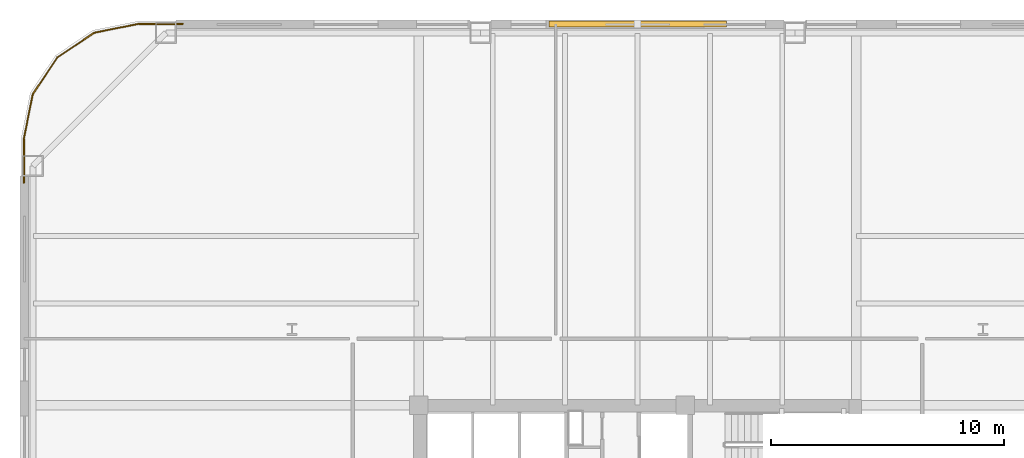
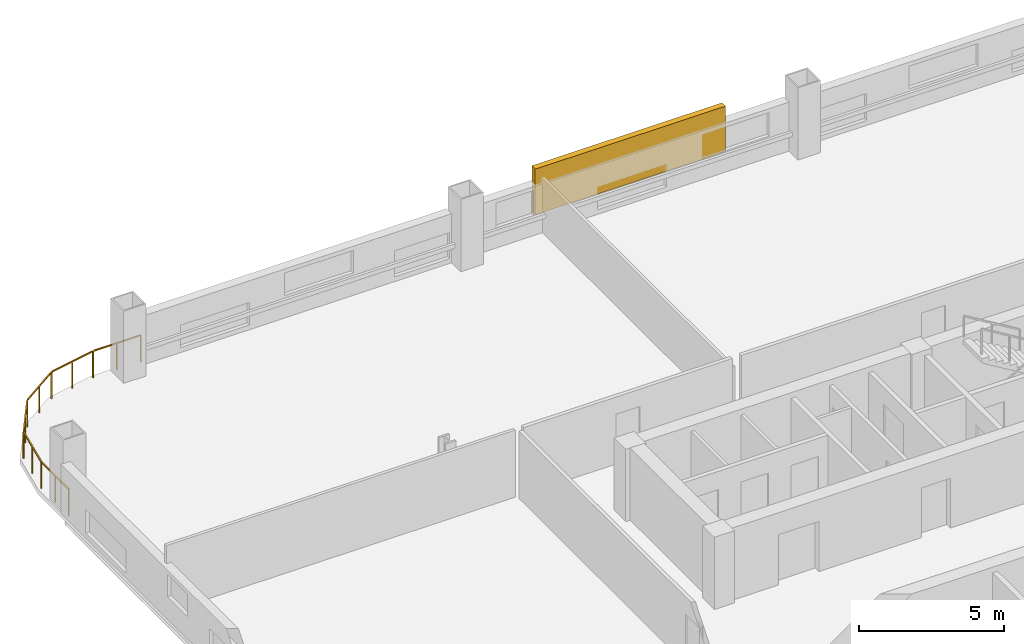
# One storey, part 10 of 11: 1 railing, 1 shading device.
"""IFC4 building model written with IfcOpenShell, lengths in metres."""

from ifc_helpers import new_model, si_unit, direction, frame, origin, origin_2d, place, context, subcontext, project, spatial, rectangle, extrude, material, type_object, element, save


model = new_model("IFC4")

# Units and contexts
model_context = context("Model", 3, precision=1e-05, world=origin(), true_north=direction((0.0, 1.0)))
body_context = subcontext(model_context, "Body", "Model", "MODEL_VIEW")
ifc_project = project(units=[si_unit("LENGTHUNIT", "METRE"), si_unit("AREAUNIT", "SQUARE_METRE"), si_unit("VOLUMEUNIT", "CUBIC_METRE"), si_unit("PLANEANGLEUNIT", "RADIAN"), si_unit("MASSUNIT", "GRAM", prefix="KILO")], contexts=[model_context])

# Site, building, storey
site_placement = place(None, origin())
site = spatial("IfcSite", under=ifc_project, at=site_placement, CompositionType="ELEMENT")
building_placement = place(site_placement, origin())
building = spatial("IfcBuilding", under=site, at=building_placement, Name="Qhalaya Broadcast Tower", CompositionType="ELEMENT")
storey_placement = place(building_placement, frame((0.0, 0.0, 29.14990234375)))
storey = spatial("IfcBuildingStorey", under=building, at=storey_placement, Name="L07", CompositionType="ELEMENT", Elevation=29.14990234375)

# Railing
ifc_material_1 = material(Name="Powder-Coated Galvanised Steel", Category="steel")
railing_type = type_object("IfcRailingType", Name="Terrace, Sky-Pool & Lookout Glass Balustrade 1150", PredefinedType="BALUSTRADE", material=ifc_material_1)
railing_placement = place(storey_placement, frame((-26.280029296875, 19.48193359375, 0.0)))
element("IfcRailing", 1, at=railing_placement, inside=storey, type_object=railing_type, Name="L07 Rounded Corner Perimeter Guard 03", PredefinedType="BALUSTRADE", context=body_context, shape_type="SweptSolid", body=[
    extrude(rectangle(XDim=0.048095703125, YDim=0.048095703125, at=origin_2d()), frame((0.0, 0.0, 1.1259765625), z_axis=(0.0, 1.0, 0.0), x_axis=(-1.0, 0.0, 0.0)), (0.0, 0.0, 1.0), 1.87744140625),
    extrude(rectangle(XDim=0.048095703125, YDim=0.048095703125, at=origin_2d()), frame((0.005615234375, 1.9345703125, 1.1259765625), z_axis=(0.195037378397, 0.980795810058, 0.0), x_axis=(-0.980795810058, 0.195037378397, 0.0)), (0.0, 0.0, 1.0), 1.857421875),
    extrude(rectangle(XDim=0.048095703125, YDim=0.048095703125, at=origin_2d()), frame((0.3896484375, 3.80859375, 1.1259765625), z_axis=(0.555558355728, 0.831477548332, 0.0), x_axis=(-0.831477548332, 0.555558355728, 0.0)), (0.0, 0.0, 1.0), 1.845458984375),
    extrude(rectangle(XDim=0.048095703125, YDim=0.048095703125, at=origin_2d()), frame((1.454833984375, 5.38330078125, 1.1259765625), z_axis=(0.831477548332, 0.555558355728, 0.0), x_axis=(-0.555558355728, 0.831477548332, 0.0)), (0.0, 0.0, 1.0), 1.845458984375),
    extrude(rectangle(XDim=0.048095703125, YDim=0.048095703125, at=origin_2d()), frame((3.041748046875, 6.43017578125, 1.1259765625), z_axis=(0.980795810058, 0.195037378397, 0.0), x_axis=(-0.195037378397, 0.980795810058, 0.0)), (0.0, 0.0, 1.0), 1.857421875),
    extrude(rectangle(XDim=0.048095703125, YDim=0.048095703125, at=origin_2d()), frame((4.920654296875, 6.798095703125, 1.1259765625), z_axis=(1.0, 0.0, 0.0), x_axis=(0.0, 1.0, 0.0)), (0.0, 0.0, 1.0), 1.87744140625),
    extrude(rectangle(XDim=0.0419921875, YDim=0.0419921875, at=origin_2d()), origin(), (0.0, 0.0, 1.0), 1.099853515625),
    extrude(rectangle(XDim=0.0419921875, YDim=0.0419921875, at=origin_2d()), frame((0.0, 0.953125, 0.0)), (0.0, 0.0, 1.0), 1.099853515625),
    extrude(rectangle(XDim=0.0419921875, YDim=0.0419921875, at=origin_2d()), frame((0.0, 1.90625, 0.0)), (0.0, 0.0, 1.0), 1.099853515625),
    extrude(rectangle(XDim=0.0419921875, YDim=0.0419921875, at=origin_2d()), frame((0.186767578125, 2.845458984375, 0.0)), (0.0, 0.0, 1.0), 1.099853515625),
    extrude(rectangle(XDim=0.0419921875, YDim=0.0419921875, at=origin_2d()), frame((0.37353515625, 3.78466796875, 0.0)), (0.0, 0.0, 1.0), 1.099853515625),
    extrude(rectangle(XDim=0.0419921875, YDim=0.0419921875, at=origin_2d()), frame((0.90234375, 4.575927734375, 0.0)), (0.0, 0.0, 1.0), 1.099853515625),
    extrude(rectangle(XDim=0.0419921875, YDim=0.0419921875, at=origin_2d()), frame((1.430908203125, 5.3671875, 0.0)), (0.0, 0.0, 1.0), 1.099853515625),
    extrude(rectangle(XDim=0.0419921875, YDim=0.0419921875, at=origin_2d()), frame((2.22216796875, 5.89599609375, 0.0)), (0.0, 0.0, 1.0), 1.099853515625),
    extrude(rectangle(XDim=0.0419921875, YDim=0.0419921875, at=origin_2d()), frame((3.013427734375, 6.424560546875, 0.0)), (0.0, 0.0, 1.0), 1.099853515625),
    extrude(rectangle(XDim=0.0419921875, YDim=0.0419921875, at=origin_2d()), frame((3.95263671875, 6.611328125, 0.0)), (0.0, 0.0, 1.0), 1.099853515625),
    extrude(rectangle(XDim=0.0419921875, YDim=0.0419921875, at=origin_2d()), frame((4.891845703125, 6.798095703125, 0.0)), (0.0, 0.0, 1.0), 1.099853515625),
    extrude(rectangle(XDim=0.0419921875, YDim=0.0419921875, at=origin_2d()), frame((5.844970703125, 6.798095703125, 0.0)), (0.0, 0.0, 1.0), 1.099853515625),
    extrude(rectangle(XDim=0.0419921875, YDim=0.0419921875, at=origin_2d()), frame((6.798095703125, 6.798095703125, 0.0)), (0.0, 0.0, 1.0), 1.099853515625),
])

# Shading device
ifc_material_2 = material(Name="Fired Architectural Terracotta", Category="masonry")
shading_device_type = type_object("IfcShadingDeviceType", Name="Terracotta Baguette Solar Screen Assembly TBS-01", PredefinedType="USERDEFINED", material=ifc_material_2)
shading_device_placement = place(storey_placement, frame((0.0, 26.280029296875, 0.79248046875), z_axis=(0.0, 0.0, 1.0), x_axis=(-1.0, 0.0, 0.0)))
element("IfcShadingDevice", 2, at=shading_device_placement, inside=storey, type_object=shading_device_type, Name="L07 Fired Terracotta Baguette Screen N", ObjectType="BAGUETTE", PredefinedType="USERDEFINED", context=body_context, shape_type="SweptSolid", body=[
    extrude(rectangle(XDim=7.60009765625, YDim=0.239990234375, at=origin_2d()), origin(), (0.0, 0.0, 1.0), 1.924072265625),
])

save(model, "model.ifc")
